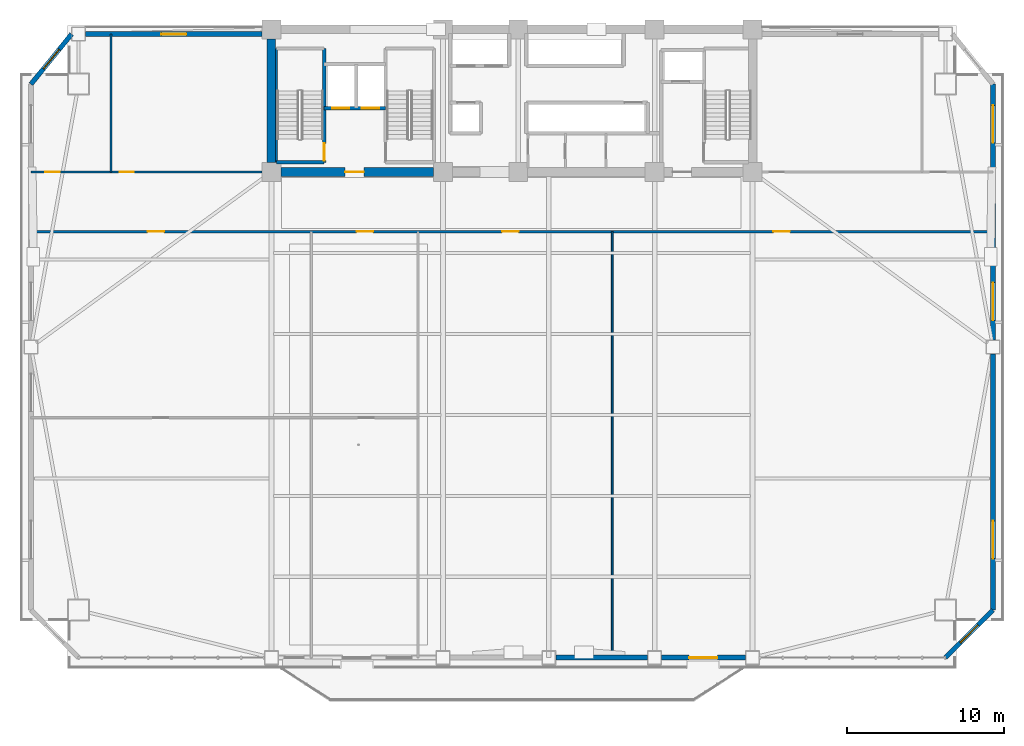
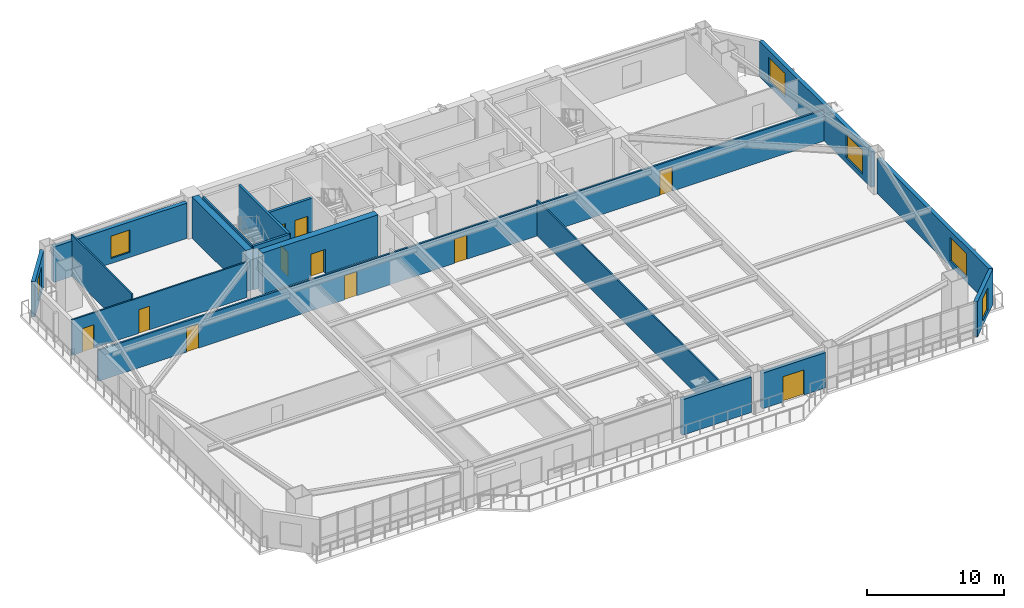
# One storey, part 8 of 15: 17 walls, 11 doors, 6 windows, 17 openings.
"""IFC4 building model written with IfcOpenShell, lengths in metres."""

from ifc_helpers import new_model, si_unit, direction, frame, frame_2d, origin, place, context, subcontext, project, spatial, rectangle, extrude, source, transform, mapped, material, layer, layer_set, type_object, element, fill, save


model = new_model("IFC4")

# Units and contexts
model_context = context("Model", 3, precision=1e-05, world=origin(), true_north=direction((0.0, 1.0)))
body_context = subcontext(model_context, "Body", "Model", "MODEL_VIEW")
ifc_project = project(units=[si_unit("LENGTHUNIT", "METRE"), si_unit("AREAUNIT", "SQUARE_METRE"), si_unit("VOLUMEUNIT", "CUBIC_METRE"), si_unit("PLANEANGLEUNIT", "RADIAN"), si_unit("MASSUNIT", "GRAM", prefix="KILO")], contexts=[model_context])

# Site, building, storey
site_placement = place(None, origin())
site = spatial("IfcSite", under=ifc_project, at=site_placement, CompositionType="ELEMENT")
building_placement = place(site_placement, origin())
building = spatial("IfcBuilding", under=site, at=building_placement, Name="Giltprow Tower", CompositionType="ELEMENT")
storey_placement = place(building_placement, frame((0.0, 0.0, 103.60009765625)))
storey = spatial("IfcBuildingStorey", under=building, at=storey_placement, Name="L25", CompositionType="ELEMENT", Elevation=103.60009765625)

# Wall, opening, window
ifc_material_1 = material(Name="Precast concrete C40", Category="concrete")
ifc_layer_1 = layer(ifc_material_1, 0.300048828125, Name="Precast concrete C40")
ifc_layer_set_1 = layer_set([ifc_layer_1], Name="Precast concrete C40")
wall_type_1 = type_object("IfcWallType", Name="EW-NOTCH-CHAMFER-300", PredefinedType="SOLIDWALL", material=ifc_layer_set_1)
wall_1_placement = place(storey_placement, frame((62.847900390625, 6.4619140625, 0.0), z_axis=(0.0, 0.0, 1.0), x_axis=(0.707135145445, 0.70707841579, 0.0)))
wall_1 = element("IfcWall", 1, at=wall_1_placement, inside=storey, type_object=wall_type_1, Name="L25 Corner Notch Wall SE", PredefinedType="SOLIDWALL", context=body_context, shape_type="SweptSolid", body=[
    extrude(rectangle(XDim=4.303466796875, YDim=0.300048828125, at=frame_2d((2.15185546875, 0.0))), origin(), (0.0, 0.0, 1.0), 3.159912109375),
])
opening_1_placement = place(wall_1_placement, frame((1.35205078125, 0.0, 0.449951171875)))
opening_1 = element("IfcOpeningElement", 2, at=opening_1_placement, cuts=wall_1, Name="Opening WN17", PredefinedType="OPENING", context=body_context, shape_type="SweptSolid", body=[
    extrude(rectangle(XDim=1.60009765625, YDim=2.0, at=frame_2d((0.800048828125, 1.0))), frame((0.0, 0.159912109375, 0.0), z_axis=(0.0, -1.0, 0.0), x_axis=(1.0, 0.0, 0.0)), (0.0, 0.0, 1.0), 0.320068359375),
])
ifc_material_2 = material(Name="Insulated glass", Category="glass")
window_type_1 = type_object("IfcWindowType", Name="WN-COR-1600x2000", PartitioningType="SINGLE_PANEL", PredefinedType="WINDOW", material=ifc_material_2)
shared_shape_1 = source(origin(), body_context, "Body", "SweptSolid", [
    extrude(rectangle(XDim=1.60009765625, YDim=2.0, at=frame_2d((0.800048828125, 1.0))), frame((0.0, 0.030029296875, 0.0), z_axis=(0.0, -1.0, 0.0), x_axis=(1.0, 0.0, 0.0)), (0.0, 0.0, 1.0), 0.06005859375),
])
window_1_placement = place(opening_1_placement, origin())
window_1 = element("IfcWindow", 3, at=window_1_placement, inside=storey, type_object=window_type_1, Name="L25 Corner Notch Window SE", OverallHeight=2.0, OverallWidth=1.60009765625, PartitioningType="SINGLE_PANEL", PredefinedType="WINDOW", context=body_context, shape_type="MappedRepresentation", body=[
    mapped(shared_shape_1, transform((0.0, 0.0, 0.0), x_axis=(1.0, 0.0, 0.0), y_axis=(0.0, 1.0, 0.0), z_axis=(0.0, 0.0, 1.0), scale=1.0)),
])
fill(opening_1, window_1)

wall_2_placement = place(storey_placement, frame((7.10302734375, 46.25, 0.0), z_axis=(0.0, 0.0, 1.0), x_axis=(-0.630273101398, -0.776373503962, 0.0)))
wall_2 = element("IfcWall", 4, at=wall_2_placement, inside=storey, type_object=wall_type_1, Name="L25 Corner Notch Wall NW", PredefinedType="SOLIDWALL", context=body_context, shape_type="SweptSolid", body=[
    extrude(rectangle(XDim=4.114013671875, YDim=0.300048828125, at=frame_2d((2.05712890625, 0.0))), origin(), (0.0, 0.0, 1.0), 3.159912109375),
])
opening_2_placement = place(wall_2_placement, frame((1.257080078125, 0.0, 0.449951171875)))
opening_2 = element("IfcOpeningElement", 5, at=opening_2_placement, cuts=wall_2, Name="Opening WN17", PredefinedType="OPENING", context=body_context, shape_type="SweptSolid", body=[
    extrude(rectangle(XDim=1.60009765625, YDim=2.0, at=frame_2d((0.800048828125, 1.0))), frame((0.0, 0.159912109375, 0.0), z_axis=(0.0, -1.0, 0.0), x_axis=(1.0, 0.0, 0.0)), (0.0, 0.0, 1.0), 0.320068359375),
])
window_2_placement = place(opening_2_placement, origin())
window_2 = element("IfcWindow", 6, at=window_2_placement, inside=storey, type_object=window_type_1, Name="L25 Corner Notch Window NW", OverallHeight=2.0, OverallWidth=1.60009765625, PartitioningType="SINGLE_PANEL", PredefinedType="WINDOW", context=body_context, shape_type="MappedRepresentation", body=[
    mapped(shared_shape_1, transform((0.0, 0.0, 0.0), x_axis=(1.0, 0.0, 0.0), y_axis=(0.0, 1.0, 0.0), z_axis=(0.0, 0.0, 1.0), scale=1.0)),
])
fill(opening_2, window_2)

# Wall
ifc_layer_2 = layer(ifc_material_1, 0.320068359375, Name="Precast concrete C40")
ifc_layer_set_2 = layer_set([ifc_layer_2], Name="Precast concrete C40")
wall_type_2 = type_object("IfcWallType", Name="EW-TOW-STONE-320", PredefinedType="SOLIDWALL", material=ifc_layer_set_2)
wall_3_placement = place(storey_placement, frame((38.0, 6.4619140625, 0.0), z_axis=(0.0, 0.0, 1.0), x_axis=(1.0, 0.0, 0.0)))
element("IfcWall", 7, at=wall_3_placement, inside=storey, type_object=wall_type_2, Name="L25 South Expressed Frame Wall 4", PredefinedType="SOLIDWALL", context=body_context, shape_type="SweptSolid", body=[
    extrude(rectangle(XDim=5.85009765625, YDim=0.320068359375, at=frame_2d((2.925048828125, 0.0))), origin(), (0.0, 0.0, 1.0), 3.159912109375),
])

# Wall, opening, door
wall_4_placement = place(storey_placement, frame((44.75, 6.4619140625, 0.0), z_axis=(0.0, 0.0, 1.0), x_axis=(1.0, 0.0, 0.0)))
wall_4 = element("IfcWall", 8, at=wall_4_placement, inside=storey, type_object=wall_type_2, Name="L25 South Expressed Frame Wall 5", PredefinedType="SOLIDWALL", context=body_context, shape_type="SweptSolid", body=[
    extrude(rectangle(XDim=5.35009765625, YDim=0.320068359375, at=frame_2d((2.675048828125, 0.0))), origin(), (0.0, 0.0, 1.0), 3.159912109375),
])
opening_3_placement = place(wall_4_placement, frame((1.75, 0.0, 0.0)))
opening_3 = element("IfcOpeningElement", 9, at=opening_3_placement, cuts=wall_4, Name="Opening ED25", PredefinedType="OPENING", context=body_context, shape_type="SweptSolid", body=[
    extrude(rectangle(XDim=1.800048828125, YDim=2.25, at=frame_2d((0.89990234375, 1.125))), frame((0.0, 0.169921875, 0.0), z_axis=(0.0, -1.0, 0.0), x_axis=(1.0, 0.0, 0.0)), (0.0, 0.0, 1.0), 0.340087890625),
])
ifc_material_3 = material(Name="Anodized bronze and glass", Category="glass")
door_type_1 = type_object("IfcDoorType", Name="DR-BALC-SLIDE-1800", OperationType="SLIDING_TO_LEFT", PredefinedType="DOOR", material=ifc_material_3)
shared_shape_2 = source(origin(), body_context, "Body", "SweptSolid", [
    extrude(rectangle(XDim=1.800048828125, YDim=2.25, at=frame_2d((0.89990234375, 1.125))), frame((0.0, 0.02490234375, 0.0), z_axis=(0.0, -1.0, 0.0), x_axis=(1.0, 0.0, 0.0)), (0.0, 0.0, 1.0), 0.050048828125),
])
door_1_placement = place(opening_3_placement, origin())
door_1 = element("IfcDoor", 10, at=door_1_placement, inside=storey, type_object=door_type_1, Name="L25 Waterfront Balcony Sliding Door 2", OperationType="SLIDING_TO_LEFT", OverallHeight=2.25, OverallWidth=1.800048828125, PredefinedType="DOOR", context=body_context, shape_type="MappedRepresentation", body=[
    mapped(shared_shape_2, transform((0.0, 0.0, 0.0), x_axis=(1.0, 0.0, 0.0), y_axis=(0.0, 1.0, 0.0), z_axis=(0.0, 0.0, 1.0), scale=1.0)),
])
fill(opening_3, door_1)

# Wall, opening, window
wall_5_placement = place(storey_placement, frame((65.89111328125, 9.5048828125, 0.0), z_axis=(0.0, 0.0, 1.0), x_axis=(0.0, 1.0, 0.0)))
wall_5 = element("IfcWall", 11, at=wall_5_placement, inside=storey, type_object=wall_type_2, Name="L25 E Wing Masonry Wall 1", PredefinedType="SOLIDWALL", context=body_context, shape_type="SweptSolid", body=[
    extrude(rectangle(XDim=16.3251953125, YDim=0.320068359375, at=frame_2d((8.16259765625, 0.0))), origin(), (0.0, 0.0, 1.0), 3.159912109375),
])
opening_4_placement = place(wall_5_placement, frame((3.284912109375, 0.0, 0.449951171875)))
opening_4 = element("IfcOpeningElement", 12, at=opening_4_placement, cuts=wall_5, Name="Opening WN29", PredefinedType="OPENING", context=body_context, shape_type="SweptSolid", body=[
    extrude(rectangle(XDim=2.39990234375, YDim=2.10009765625, at=frame_2d((1.199951171875, 1.050048828125))), frame((0.0, 0.169921875, 0.0), z_axis=(0.0, -1.0, 0.0), x_axis=(1.0, 0.0, 0.0)), (0.0, 0.0, 1.0), 0.340087890625),
])
window_type_2 = type_object("IfcWindowType", Name="WN-OFF-2400x2100", PartitioningType="DOUBLE_PANEL_VERTICAL", PredefinedType="WINDOW", material=ifc_material_2)
shared_shape_3 = source(origin(), body_context, "Body", "SweptSolid", [
    extrude(rectangle(XDim=2.39990234375, YDim=2.10009765625, at=frame_2d((1.199951171875, 1.050048828125))), frame((0.0, 0.030029296875, 0.0), z_axis=(0.0, -1.0, 0.0), x_axis=(1.0, 0.0, 0.0)), (0.0, 0.0, 1.0), 0.06005859375),
])
window_3_placement = place(opening_4_placement, origin())
window_3 = element("IfcWindow", 13, at=window_3_placement, inside=storey, type_object=window_type_2, Name="L25 E Wing Window 1-1A", OverallHeight=2.10009765625, OverallWidth=2.39990234375, PartitioningType="SINGLE_PANEL", PredefinedType="WINDOW", context=body_context, shape_type="MappedRepresentation", body=[
    mapped(shared_shape_3, transform((0.0, 0.0, 0.0), x_axis=(1.0, 0.0, 0.0), y_axis=(0.0, 1.0, 0.0), z_axis=(0.0, 0.0, 1.0), scale=1.0)),
])
fill(opening_4, window_3)

# Wall, openings, windows
wall_6_placement = place(storey_placement, frame((65.89111328125, 26.72998046875, 0.0), z_axis=(0.0, 0.0, 1.0), x_axis=(0.0, 1.0, 0.0)))
wall_6 = element("IfcWall", 14, at=wall_6_placement, inside=storey, type_object=wall_type_2, Name="L25 E Wing Masonry Wall 2", PredefinedType="SOLIDWALL", context=body_context, shape_type="SweptSolid", body=[
    extrude(rectangle(XDim=16.325927734375, YDim=0.320068359375, at=frame_2d((8.1630859375, 0.0))), origin(), (0.0, 0.0, 1.0), 3.159912109375),
])
opening_5_placement = place(wall_6_placement, frame((1.260009765625, 0.0, 0.449951171875)))
opening_5 = element("IfcOpeningElement", 15, at=opening_5_placement, cuts=wall_6, Name="Opening WN29", PredefinedType="OPENING", context=body_context, shape_type="SweptSolid", body=[
    extrude(rectangle(XDim=2.39990234375, YDim=2.10009765625, at=frame_2d((1.199951171875, 1.050048828125))), frame((0.0, 0.169921875, 0.0), z_axis=(0.0, -1.0, 0.0), x_axis=(1.0, 0.0, 0.0)), (0.0, 0.0, 1.0), 0.340087890625),
])
opening_6_placement = place(wall_6_placement, frame((12.573974609375, 0.0, 0.449951171875)))
opening_6 = element("IfcOpeningElement", 16, at=opening_6_placement, cuts=wall_6, Name="Opening WN29", PredefinedType="OPENING", context=body_context, shape_type="SweptSolid", body=[
    extrude(rectangle(XDim=2.39990234375, YDim=2.10009765625, at=frame_2d((1.199951171875, 1.050048828125))), frame((0.0, 0.169921875, 0.0), z_axis=(0.0, -1.0, 0.0), x_axis=(1.0, 0.0, 0.0)), (0.0, 0.0, 1.0), 0.340087890625),
])
window_4_placement = place(opening_5_placement, origin())
window_4 = element("IfcWindow", 17, at=window_4_placement, inside=storey, type_object=window_type_2, Name="L25 E Wing Window 2-1", OverallHeight=2.10009765625, OverallWidth=2.39990234375, PartitioningType="SINGLE_PANEL", PredefinedType="WINDOW", context=body_context, shape_type="MappedRepresentation", body=[
    mapped(shared_shape_3, transform((0.0, 0.0, 0.0), x_axis=(1.0, 0.0, 0.0), y_axis=(0.0, 1.0, 0.0), z_axis=(0.0, 0.0, 1.0), scale=1.0)),
])
fill(opening_5, window_4)
window_5_placement = place(opening_6_placement, origin())
window_5 = element("IfcWindow", 18, at=window_5_placement, inside=storey, type_object=window_type_2, Name="L25 E Wing Window 2-2", OverallHeight=2.10009765625, OverallWidth=2.39990234375, PartitioningType="SINGLE_PANEL", PredefinedType="WINDOW", context=body_context, shape_type="MappedRepresentation", body=[
    mapped(shared_shape_3, transform((0.0, 0.0, 0.0), x_axis=(1.0, 0.0, 0.0), y_axis=(0.0, 1.0, 0.0), z_axis=(0.0, 0.0, 1.0), scale=1.0)),
])
fill(opening_6, window_5)

# Wall, opening, window
wall_7_placement = place(storey_placement, frame((8.0029296875, 46.25, 0.0), z_axis=(0.0, 0.0, 1.0), x_axis=(1.0, 0.0, 0.0)))
wall_7 = element("IfcWall", 19, at=wall_7_placement, inside=storey, type_object=wall_type_2, Name="L25 North-West Wing Wall", PredefinedType="SOLIDWALL", context=body_context, shape_type="SweptSolid", body=[
    extrude(rectangle(XDim=11.2470703125, YDim=0.320068359375, at=frame_2d((5.62353515625, 0.0))), origin(), (0.0, 0.0, 1.0), 3.159912109375),
])
opening_7_placement = place(wall_7_placement, frame((4.823974609375, 0.0, 0.449951171875)))
opening_7 = element("IfcOpeningElement", 20, at=opening_7_placement, cuts=wall_7, Name="Opening WN17", PredefinedType="OPENING", context=body_context, shape_type="SweptSolid", body=[
    extrude(rectangle(XDim=1.60009765625, YDim=2.0, at=frame_2d((0.800048828125, 1.0))), frame((0.0, 0.169921875, 0.0), z_axis=(0.0, -1.0, 0.0), x_axis=(1.0, 0.0, 0.0)), (0.0, 0.0, 1.0), 0.340087890625),
])
window_6_placement = place(opening_7_placement, origin())
window_6 = element("IfcWindow", 21, at=window_6_placement, inside=storey, type_object=window_type_1, Name="L25 North-West Window", OverallHeight=2.0, OverallWidth=1.60009765625, PartitioningType="SINGLE_PANEL", PredefinedType="WINDOW", context=body_context, shape_type="MappedRepresentation", body=[
    mapped(shared_shape_1, transform((0.0, 0.0, 0.0), x_axis=(1.0, 0.0, 0.0), y_axis=(0.0, 1.0, 0.0), z_axis=(0.0, 0.0, 1.0), scale=1.0)),
])
fill(opening_7, window_6)

# Wall, openings, doors
ifc_material_4 = material(Name="Gypsum stud partition", Category="gypsum")
ifc_layer_3 = layer(ifc_material_4, 0.14990234375, Name="Gypsum stud partition")
ifc_layer_set_3 = layer_set([ifc_layer_3], Name="Gypsum stud partition")
wall_type_3 = type_object("IfcWallType", Name="IW-CORR-150", PredefinedType="PARTITIONING", material=ifc_layer_set_3)
wall_8_placement = place(storey_placement, frame((4.510009765625, 33.64990234375, 0.0), z_axis=(0.0, 0.0, 1.0), x_axis=(1.0, 0.0, 0.0)))
wall_8 = element("IfcWall", 22, at=wall_8_placement, inside=storey, type_object=wall_type_3, Name="L25 Office Loop Corridor Wall", PredefinedType="PARTITIONING", context=body_context, shape_type="SweptSolid", body=[
    extrude(rectangle(XDim=61.381103515625, YDim=0.14990234375, at=frame_2d((30.6904296875, 0.0))), origin(), (0.0, 0.0, 1.0), 2.764892578125),
])
opening_8_placement = place(wall_8_placement, frame((7.44189453125, 0.0, 0.0)))
opening_8 = element("IfcOpeningElement", 23, at=opening_8_placement, cuts=wall_8, Name="Opening ID31", PredefinedType="OPENING", context=body_context, shape_type="SweptSolid", body=[
    extrude(rectangle(XDim=1.050048828125, YDim=2.14990234375, at=frame_2d((0.52490234375, 1.074951171875))), frame((0.0, 0.0849609375, 0.0), z_axis=(0.0, -1.0, 0.0), x_axis=(1.0, 0.0, 0.0)), (0.0, 0.0, 1.0), 0.169921875),
])
opening_9_placement = place(wall_8_placement, frame((20.77587890625, 0.0, 0.0)))
opening_9 = element("IfcOpeningElement", 24, at=opening_9_placement, cuts=wall_8, Name="Opening ID31", PredefinedType="OPENING", context=body_context, shape_type="SweptSolid", body=[
    extrude(rectangle(XDim=1.050048828125, YDim=2.14990234375, at=frame_2d((0.52490234375, 1.074951171875))), frame((0.0, 0.0849609375, 0.0), z_axis=(0.0, -1.0, 0.0), x_axis=(1.0, 0.0, 0.0)), (0.0, 0.0, 1.0), 0.169921875),
])
opening_10_placement = place(wall_8_placement, frame((30.06103515625, 0.0, 0.0)))
opening_10 = element("IfcOpeningElement", 25, at=opening_10_placement, cuts=wall_8, Name="Opening ID31", PredefinedType="OPENING", context=body_context, shape_type="SweptSolid", body=[
    extrude(rectangle(XDim=1.050048828125, YDim=2.14990234375, at=frame_2d((0.52490234375, 1.074951171875))), frame((0.0, 0.0849609375, 0.0), z_axis=(0.0, -1.0, 0.0), x_axis=(1.0, 0.0, 0.0)), (0.0, 0.0, 1.0), 0.169921875),
])
opening_11_placement = place(wall_8_placement, frame((47.37109375, 0.0, 0.0)))
opening_11 = element("IfcOpeningElement", 26, at=opening_11_placement, cuts=wall_8, Name="Opening ID31", PredefinedType="OPENING", context=body_context, shape_type="SweptSolid", body=[
    extrude(rectangle(XDim=1.050048828125, YDim=2.14990234375, at=frame_2d((0.52490234375, 1.074951171875))), frame((0.0, 0.0849609375, 0.0), z_axis=(0.0, -1.0, 0.0), x_axis=(1.0, 0.0, 0.0)), (0.0, 0.0, 1.0), 0.169921875),
])
ifc_material_5 = material(Name="Engineered timber", Category="wood")
door_type_2 = type_object("IfcDoorType", Name="DR-SUITE-1050", OperationType="SINGLE_SWING_LEFT", PredefinedType="DOOR", material=ifc_material_5)
shared_shape_4 = source(origin(), body_context, "Body", "SweptSolid", [
    extrude(rectangle(XDim=1.050048828125, YDim=2.14990234375, at=frame_2d((0.52490234375, 1.074951171875))), frame((0.0, 0.02490234375, 0.0), z_axis=(0.0, -1.0, 0.0), x_axis=(1.0, 0.0, 0.0)), (0.0, 0.0, 1.0), 0.050048828125),
])
door_2_placement = place(opening_8_placement, origin())
door_2 = element("IfcDoor", 27, at=door_2_placement, inside=storey, type_object=door_type_2, Name="L25 Suite Reception Foyer Door", OperationType="SINGLE_SWING_RIGHT", OverallHeight=2.14990234375, OverallWidth=1.050048828125, PredefinedType="DOOR", context=body_context, shape_type="MappedRepresentation", body=[
    mapped(shared_shape_4, transform((0.0, 0.0, 0.0), x_axis=(1.0, 0.0, 0.0), y_axis=(0.0, 1.0, 0.0), z_axis=(0.0, 0.0, 1.0), scale=1.0)),
])
fill(opening_8, door_2)
door_3_placement = place(opening_9_placement, origin())
door_3 = element("IfcDoor", 28, at=door_3_placement, inside=storey, type_object=door_type_2, Name="L25 Suite Reception Foyer Door", OperationType="SINGLE_SWING_RIGHT", OverallHeight=2.14990234375, OverallWidth=1.050048828125, PredefinedType="DOOR", context=body_context, shape_type="MappedRepresentation", body=[
    mapped(shared_shape_4, transform((0.0, 0.0, 0.0), x_axis=(1.0, 0.0, 0.0), y_axis=(0.0, 1.0, 0.0), z_axis=(0.0, 0.0, 1.0), scale=1.0)),
])
fill(opening_9, door_3)
door_4_placement = place(opening_10_placement, origin())
door_4 = element("IfcDoor", 29, at=door_4_placement, inside=storey, type_object=door_type_2, Name="L25 Quiet Fireside Lounge 3 Door", OperationType="SINGLE_SWING_RIGHT", OverallHeight=2.14990234375, OverallWidth=1.050048828125, PredefinedType="DOOR", context=body_context, shape_type="MappedRepresentation", body=[
    mapped(shared_shape_4, transform((0.0, 0.0, 0.0), x_axis=(1.0, 0.0, 0.0), y_axis=(0.0, 1.0, 0.0), z_axis=(0.0, 0.0, 1.0), scale=1.0)),
])
fill(opening_10, door_4)
door_5_placement = place(opening_11_placement, origin())
door_5 = element("IfcDoor", 30, at=door_5_placement, inside=storey, type_object=door_type_2, Name="L25 Executive Cigar Lounge 4 Door", OperationType="SINGLE_SWING_LEFT", OverallHeight=2.14990234375, OverallWidth=1.050048828125, PredefinedType="DOOR", context=body_context, shape_type="MappedRepresentation", body=[
    mapped(shared_shape_4, transform((0.0, 0.0, 0.0), x_axis=(1.0, 0.0, 0.0), y_axis=(0.0, 1.0, 0.0), z_axis=(0.0, 0.0, 1.0), scale=1.0)),
])
fill(opening_11, door_5)

# Wall
ifc_layer_4 = layer(ifc_material_4, 0.1201171875, Name="Gypsum stud partition")
ifc_layer_set_4 = layer_set([ifc_layer_4], Name="Gypsum stud partition")
wall_type_4 = type_object("IfcWallType", Name="IW-ROOM-120", PredefinedType="PARTITIONING", material=ifc_layer_set_4)
wall_9_placement = place(storey_placement, frame((41.60009765625, 6.4619140625, 0.0), z_axis=(0.0, 0.0, 1.0), x_axis=(0.0, 1.0, 0.0)))
element("IfcWall", 31, at=wall_9_placement, inside=storey, type_object=wall_type_4, Name="L25 Office Partition 3", PredefinedType="PARTITIONING", context=body_context, shape_type="SweptSolid", body=[
    extrude(rectangle(XDim=27.18798828125, YDim=0.1201171875, at=frame_2d((13.593994140625, 0.0))), origin(), (0.0, 0.0, 1.0), 3.164794921875),
])

# Wall, openings, doors
ifc_material_6 = material(Name="Concrete C40", Category="concrete")
ifc_layer_5 = layer(ifc_material_6, 0.219970703125, Name="Concrete C40")
ifc_layer_set_5 = layer_set([ifc_layer_5], Name="Concrete C40")
wall_type_5 = type_object("IfcWallType", Name="IW-SHAFT-220", PredefinedType="SOLIDWALL", material=ifc_layer_set_5)
wall_10_placement = place(storey_placement, frame((23.219970703125, 41.52001953125, 0.0), z_axis=(0.0, 0.0, 1.0), x_axis=(1.0, 0.0, 0.0)))
wall_10 = element("IfcWall", 32, at=wall_10_placement, inside=storey, type_object=wall_type_5, Name="L25 FFL1 and Service Lift Front Wall", PredefinedType="SOLIDWALL", context=body_context, shape_type="SweptSolid", body=[
    extrude(rectangle(XDim=3.919921875, YDim=0.219970703125, at=frame_2d((1.9599609375, 0.0))), origin(), (0.0, 0.0, 1.0), 3.679931640625),
])
opening_12_placement = place(wall_10_placement, frame((0.5, 0.0, 0.0)))
opening_12 = element("IfcOpeningElement", 33, at=opening_12_placement, cuts=wall_10, Name="Opening LD-11", PredefinedType="OPENING", context=body_context, shape_type="SweptSolid", body=[
    extrude(rectangle(XDim=1.10009765625, YDim=2.199951171875, at=frame_2d((0.550048828125, 1.10009765625))), frame((0.0, 0.119873046875, 0.0), z_axis=(0.0, -1.0, 0.0), x_axis=(1.0, 0.0, 0.0)), (0.0, 0.0, 1.0), 0.239990234375),
])
opening_13_placement = place(wall_10_placement, frame((2.39990234375, 0.0, 0.0)))
opening_13 = element("IfcOpeningElement", 34, at=opening_13_placement, cuts=wall_10, Name="Opening LD-11", PredefinedType="OPENING", context=body_context, shape_type="SweptSolid", body=[
    extrude(rectangle(XDim=1.10009765625, YDim=2.199951171875, at=frame_2d((0.550048828125, 1.10009765625))), frame((0.0, 0.119873046875, 0.0), z_axis=(0.0, -1.0, 0.0), x_axis=(1.0, 0.0, 0.0)), (0.0, 0.0, 1.0), 0.239990234375),
])
ifc_material_7 = material(Name="Stainless steel", Category="steel")
door_type_3 = type_object("IfcDoorType", Name="DR-LIFT-LD1100", OperationType="SLIDING_TO_LEFT", PredefinedType="DOOR", material=ifc_material_7)
shared_shape_5 = source(origin(), body_context, "Body", "SweptSolid", [
    extrude(rectangle(XDim=1.10009765625, YDim=2.199951171875, at=frame_2d((0.550048828125, 1.10009765625))), frame((0.0, 0.02490234375, 0.0), z_axis=(0.0, -1.0, 0.0), x_axis=(1.0, 0.0, 0.0)), (0.0, 0.0, 1.0), 0.050048828125),
])
door_6_placement = place(opening_12_placement, origin())
door_6 = element("IfcDoor", 35, at=door_6_placement, inside=storey, type_object=door_type_3, Name="L25 FFL1 Landing Door", OperationType="SLIDING_TO_LEFT", OverallHeight=2.199951171875, OverallWidth=1.10009765625, PredefinedType="DOOR", context=body_context, shape_type="MappedRepresentation", body=[
    mapped(shared_shape_5, transform((0.0, 0.0, 0.0), x_axis=(1.0, 0.0, 0.0), y_axis=(0.0, 1.0, 0.0), z_axis=(0.0, 0.0, 1.0), scale=1.0)),
])
fill(opening_12, door_6)
door_7_placement = place(opening_13_placement, origin())
door_7 = element("IfcDoor", 36, at=door_7_placement, inside=storey, type_object=door_type_3, Name="L25 SVL1 Landing Door", OperationType="SLIDING_TO_LEFT", OverallHeight=2.199951171875, OverallWidth=1.10009765625, PredefinedType="DOOR", context=body_context, shape_type="MappedRepresentation", body=[
    mapped(shared_shape_5, transform((0.0, 0.0, 0.0), x_axis=(1.0, 0.0, 0.0), y_axis=(0.0, 1.0, 0.0), z_axis=(0.0, 0.0, 1.0), scale=1.0)),
])
fill(opening_13, door_7)

# Wall
ifc_material_8 = material(Name="Concrete C45", Category="concrete")
ifc_layer_6 = layer(ifc_material_8, 0.139892578125, Name="Concrete C45")
ifc_layer_set_6 = layer_set([ifc_layer_6], Name="Concrete C45")
wall_type_6 = type_object("IfcWallType", Name="IW-STAIR-140", PredefinedType="SOLIDWALL", material=ifc_layer_set_6)
wall_11_placement = place(storey_placement, frame((20.169921875, 38.070068359375, 0.0), z_axis=(0.0, 0.0, 1.0), x_axis=(0.0, 1.0, 0.0)))
element("IfcWall", 37, at=wall_11_placement, inside=storey, type_object=wall_type_6, Name="L25 Stair ST-1 West Bearing Wall", PredefinedType="SOLIDWALL", context=body_context, shape_type="SweptSolid", body=[
    extrude(rectangle(XDim=7.25, YDim=0.139892578125, at=frame_2d((3.625, 0.0))), origin(), (0.0, 0.0, 1.0), 3.89990234375),
])

# Wall, opening, door
ifc_layer_7 = layer(ifc_material_6, 0.199951171875, Name="Concrete C40")
ifc_layer_set_7 = layer_set([ifc_layer_7], Name="Concrete C40")
wall_type_7 = type_object("IfcWallType", Name="IW-STAIR-200", PredefinedType="SOLIDWALL", material=ifc_layer_set_7)
wall_12_placement = place(storey_placement, frame((23.219970703125, 38.070068359375, 0.0), z_axis=(0.0, 0.0, 1.0), x_axis=(0.0, 1.0, 0.0)))
wall_12 = element("IfcWall", 38, at=wall_12_placement, inside=storey, type_object=wall_type_7, Name="L25 Stair ST-1 East Bearing Wall", PredefinedType="SOLIDWALL", context=body_context, shape_type="SweptSolid", body=[
    extrude(rectangle(XDim=7.25, YDim=0.199951171875, at=frame_2d((3.625, 0.0))), origin(), (0.0, 0.0, 1.0), 3.89990234375),
])
opening_14_placement = place(wall_12_placement, frame((0.110107421875, 0.0, 0.0)))
opening_14 = element("IfcOpeningElement", 39, at=opening_14_placement, cuts=wall_12, Name="Opening ID33", PredefinedType="OPENING", context=body_context, shape_type="SweptSolid", body=[
    extrude(rectangle(XDim=1.10009765625, YDim=2.14990234375, at=frame_2d((0.550048828125, 1.074951171875))), frame((0.0, 0.10986328125, 0.0), z_axis=(0.0, -1.0, 0.0), x_axis=(1.0, 0.0, 0.0)), (0.0, 0.0, 1.0), 0.219970703125),
])
ifc_material_9 = material(Name="Steel fire leaf", Category="steel")
door_type_4 = type_object("IfcDoorType", Name="DR-STAIR-1100", OperationType="SINGLE_SWING_LEFT", PredefinedType="DOOR", material=ifc_material_9)
shared_shape_6 = source(origin(), body_context, "Body", "SweptSolid", [
    extrude(rectangle(XDim=1.10009765625, YDim=2.14990234375, at=frame_2d((0.550048828125, 1.074951171875))), frame((0.0, 0.02490234375, 0.0), z_axis=(0.0, -1.0, 0.0), x_axis=(1.0, 0.0, 0.0)), (0.0, 0.0, 1.0), 0.050048828125),
])
door_8_placement = place(opening_14_placement, origin())
door_8 = element("IfcDoor", 40, at=door_8_placement, inside=storey, type_object=door_type_4, Name="L25 Stair ST-1 Fire Door", OperationType="SINGLE_SWING_RIGHT", OverallHeight=2.14990234375, OverallWidth=1.10009765625, PredefinedType="DOOR", context=body_context, shape_type="MappedRepresentation", body=[
    mapped(shared_shape_6, transform((0.0, 0.0, 0.0), x_axis=(1.0, 0.0, 0.0), y_axis=(0.0, 1.0, 0.0), z_axis=(0.0, 0.0, 1.0), scale=1.0)),
])
fill(opening_14, door_8)

# Wall
wall_13_placement = place(storey_placement, frame((20.169921875, 38.070068359375, 0.0), z_axis=(0.0, 0.0, 1.0), x_axis=(1.0, 0.0, 0.0)))
element("IfcWall", 41, at=wall_13_placement, inside=storey, type_object=wall_type_7, Name="L25 Stair ST-1 South Bearing Wall", PredefinedType="SOLIDWALL", context=body_context, shape_type="SweptSolid", body=[
    extrude(rectangle(XDim=3.050048828125, YDim=0.199951171875, at=frame_2d((1.52490234375, 0.0))), origin(), (0.0, 0.0, 1.0), 3.89990234375),
])

# Wall, openings, doors
ifc_material_10 = material(Name="Concrete C30", Category="concrete")
ifc_layer_8 = layer(ifc_material_10, 0.1298828125, Name="Concrete C30")
ifc_layer_set_8 = layer_set([ifc_layer_8], Name="Concrete C30")
wall_type_8 = type_object("IfcWallType", Name="IW-WET-130", PredefinedType="PARTITIONING", material=ifc_layer_set_8)
wall_14_placement = place(storey_placement, frame((4.510009765625, 37.449951171875, 0.0), z_axis=(0.0, 0.0, 1.0), x_axis=(1.0, 0.0, 0.0)))
wall_14 = element("IfcWall", 42, at=wall_14_placement, inside=storey, type_object=wall_type_8, Name="L25 NW Wing South Wall", PredefinedType="PARTITIONING", context=body_context, shape_type="SweptSolid", body=[
    extrude(rectangle(XDim=14.739990234375, YDim=0.1298828125, at=frame_2d((7.3701171875, 0.0))), origin(), (0.0, 0.0, 1.0), 3.164794921875),
])
opening_15_placement = place(wall_14_placement, frame((0.89990234375, 0.0, 0.0)))
opening_15 = element("IfcOpeningElement", 43, at=opening_15_placement, cuts=wall_14, Name="Opening ID11", PredefinedType="OPENING", context=body_context, shape_type="SweptSolid", body=[
    extrude(rectangle(XDim=0.949951171875, YDim=2.10009765625, at=frame_2d((0.47509765625, 1.050048828125))), frame((0.0, 0.074951171875, 0.0), z_axis=(0.0, -1.0, 0.0), x_axis=(1.0, 0.0, 0.0)), (0.0, 0.0, 1.0), 0.14990234375),
])
opening_16_placement = place(wall_14_placement, frame((5.659912109375, 0.0, 0.0)))
opening_16 = element("IfcOpeningElement", 44, at=opening_16_placement, cuts=wall_14, Name="Opening ID15", PredefinedType="OPENING", context=body_context, shape_type="SweptSolid", body=[
    extrude(rectangle(XDim=0.89990234375, YDim=2.10009765625, at=frame_2d((0.449951171875, 1.050048828125))), frame((0.0, 0.074951171875, 0.0), z_axis=(0.0, -1.0, 0.0), x_axis=(1.0, 0.0, 0.0)), (0.0, 0.0, 1.0), 0.14990234375),
])
door_type_5 = type_object("IfcDoorType", Name="DR-WC-900", OperationType="SINGLE_SWING_LEFT", PredefinedType="DOOR", material=ifc_material_5)
shared_shape_7 = source(origin(), body_context, "Body", "SweptSolid", [
    extrude(rectangle(XDim=0.89990234375, YDim=2.10009765625, at=frame_2d((0.449951171875, 1.050048828125))), frame((0.0, 0.02490234375, 0.0), z_axis=(0.0, -1.0, 0.0), x_axis=(1.0, 0.0, 0.0)), (0.0, 0.0, 1.0), 0.050048828125),
])
door_9_placement = place(opening_16_placement, origin())
door_9 = element("IfcDoor", 45, at=door_9_placement, inside=storey, type_object=door_type_5, Name="L25 NW Washroom Door", OperationType="SINGLE_SWING_LEFT", OverallHeight=2.10009765625, OverallWidth=0.89990234375, PredefinedType="DOOR", context=body_context, shape_type="MappedRepresentation", body=[
    mapped(shared_shape_7, transform((0.0, 0.0, 0.0), x_axis=(1.0, 0.0, 0.0), y_axis=(0.0, 1.0, 0.0), z_axis=(0.0, 0.0, 1.0), scale=1.0)),
])
fill(opening_16, door_9)
door_type_6 = type_object("IfcDoorType", Name="DR-ROOM-950", OperationType="SINGLE_SWING_RIGHT", PredefinedType="DOOR", material=ifc_material_5)
shared_shape_8 = source(origin(), body_context, "Body", "SweptSolid", [
    extrude(rectangle(XDim=0.949951171875, YDim=2.10009765625, at=frame_2d((0.47509765625, 1.050048828125))), frame((0.0, 0.02490234375, 0.0), z_axis=(0.0, -1.0, 0.0), x_axis=(1.0, 0.0, 0.0)), (0.0, 0.0, 1.0), 0.050048828125),
])
door_10_placement = place(opening_15_placement, origin())
door_10 = element("IfcDoor", 46, at=door_10_placement, inside=storey, type_object=door_type_6, Name="L25 West Tenant Office West Door", OperationType="SINGLE_SWING_RIGHT", OverallHeight=2.10009765625, OverallWidth=0.949951171875, PredefinedType="DOOR", context=body_context, shape_type="MappedRepresentation", body=[
    mapped(shared_shape_8, transform((0.0, 0.0, 0.0), x_axis=(1.0, 0.0, 0.0), y_axis=(0.0, 1.0, 0.0), z_axis=(0.0, 0.0, 1.0), scale=1.0)),
])
fill(opening_15, door_10)

# Wall
wall_15_placement = place(storey_placement, frame((9.6201171875, 37.449951171875, 0.0), z_axis=(0.0, 0.0, 1.0), x_axis=(0.0, 1.0, 0.0)))
element("IfcWall", 47, at=wall_15_placement, inside=storey, type_object=wall_type_8, Name="L25 NW Wing Divider", PredefinedType="PARTITIONING", context=body_context, shape_type="SweptSolid", body=[
    extrude(rectangle(XDim=8.800048828125, YDim=0.1298828125, at=frame_2d((4.39990234375, 0.0))), origin(), (0.0, 0.0, 1.0), 3.679931640625),
])

# Wall, opening, door
ifc_material_11 = material(Name="Concrete C60", Category="concrete")
ifc_layer_9 = layer(ifc_material_11, 0.550048828125, Name="Concrete C60")
ifc_layer_set_9 = layer_set([ifc_layer_9], Name="Concrete C60")
wall_type_9 = type_object("IfcWallType", Name="SW-INT-550-C60", PredefinedType="SHEAR", material=ifc_layer_set_9)
wall_16_placement = place(storey_placement, frame((20.449951171875, 37.449951171875, 0.0), z_axis=(0.0, 0.0, 1.0), x_axis=(1.0, 0.0, 0.0)))
wall_16 = element("IfcWall", 48, at=wall_16_placement, inside=storey, type_object=wall_type_9, Name="L25 South Rear Core Shear Wall West", PredefinedType="SHEAR", context=body_context, shape_type="SweptSolid", body=[
    extrude(rectangle(XDim=9.75, YDim=0.550048828125, at=frame_2d((4.875, 0.0))), origin(), (0.0, 0.0, 1.0), 3.679931640625),
])
opening_17_placement = place(wall_16_placement, frame((4.10009765625, 0.0, 0.0)))
opening_17 = element("IfcOpeningElement", 49, at=opening_17_placement, cuts=wall_16, Name="Opening ID19", PredefinedType="OPENING", context=body_context, shape_type="SweptSolid", body=[
    extrude(rectangle(XDim=1.199951171875, YDim=2.14990234375, at=frame_2d((0.60009765625, 1.074951171875))), frame((0.0, 0.284912109375, 0.0), z_axis=(0.0, -1.0, 0.0), x_axis=(1.0, 0.0, 0.0)), (0.0, 0.0, 1.0), 0.570068359375),
])
door_type_7 = type_object("IfcDoorType", Name="DR-FFLOBBY-1200", OperationType="SINGLE_SWING_RIGHT", PredefinedType="DOOR", material=ifc_material_9)
shared_shape_9 = source(origin(), body_context, "Body", "SweptSolid", [
    extrude(rectangle(XDim=1.199951171875, YDim=2.14990234375, at=frame_2d((0.60009765625, 1.074951171875))), frame((0.0, 0.02490234375, 0.0), z_axis=(0.0, -1.0, 0.0), x_axis=(1.0, 0.0, 0.0)), (0.0, 0.0, 1.0), 0.050048828125),
])
door_11_placement = place(opening_17_placement, origin())
door_11 = element("IfcDoor", 50, at=door_11_placement, inside=storey, type_object=door_type_7, Name="L25 West Firefighting Lobby Entry Door", OperationType="SINGLE_SWING_LEFT", OverallHeight=2.14990234375, OverallWidth=1.199951171875, PredefinedType="DOOR", context=body_context, shape_type="MappedRepresentation", body=[
    mapped(shared_shape_9, transform((0.0, 0.0, 0.0), x_axis=(1.0, 0.0, 0.0), y_axis=(0.0, 1.0, 0.0), z_axis=(0.0, 0.0, 1.0), scale=1.0)),
])
fill(opening_17, door_11)

# Wall
wall_17_placement = place(storey_placement, frame((19.85009765625, 38.050048828125, 0.0), z_axis=(0.0, 0.0, 1.0), x_axis=(0.0, 1.0, 0.0)))
element("IfcWall", 51, at=wall_17_placement, inside=storey, type_object=wall_type_9, Name="L25 W Rear Core Shear Wall", PredefinedType="SHEAR", context=body_context, shape_type="SweptSolid", body=[
    extrude(rectangle(XDim=7.89990234375, YDim=0.550048828125, at=frame_2d((3.949951171875, 0.0))), origin(), (0.0, 0.0, 1.0), 3.679931640625),
])

save(model, "model.ifc")
